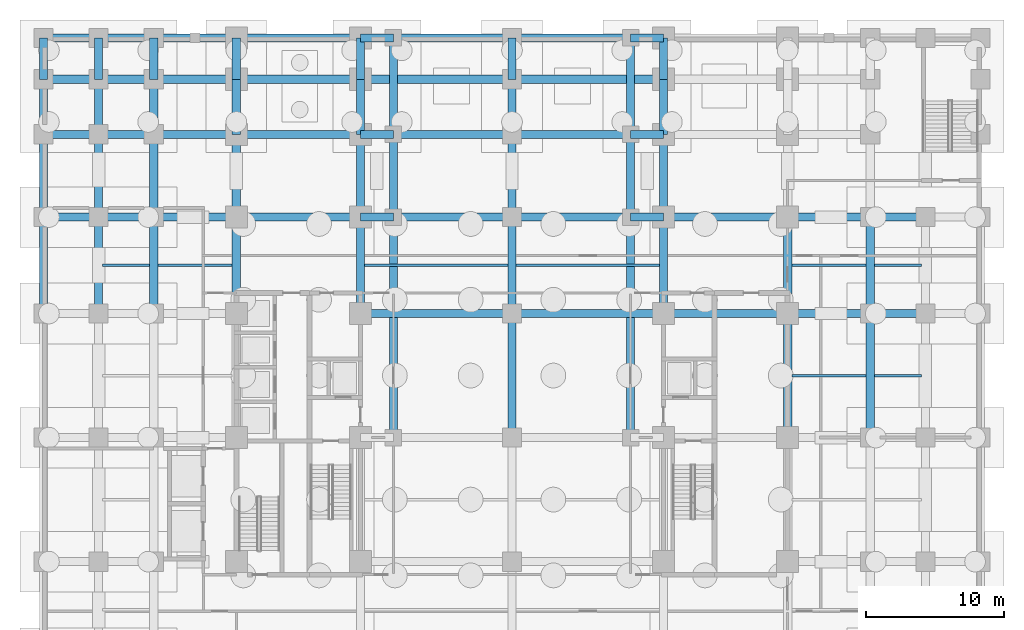
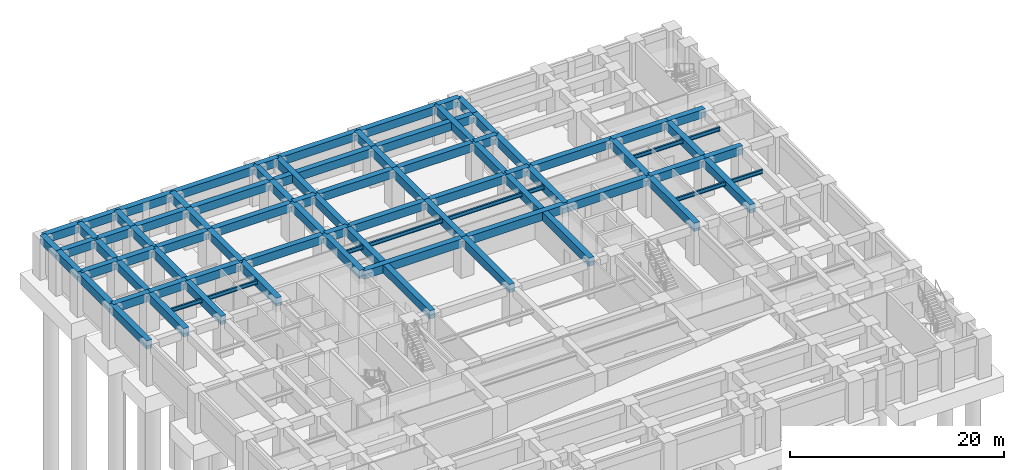
# One storey, part 4 of 16: 85 beams.
"""IFC4 building model written with IfcOpenShell, lengths in metres."""

from ifc_helpers import new_model, si_unit, direction, frame, origin, origin_2d, place, context, subcontext, project, spatial, rectangle, i_section, extrude, material, material_profile, profile_set, type_object, element, save


model = new_model("IFC4")

# Units and contexts
model_context = context("Model", 3, precision=1e-05, world=origin(), true_north=direction((0.0, 1.0)))
body_context = subcontext(model_context, "Body", "Model", "MODEL_VIEW")
ifc_project = project(units=[si_unit("LENGTHUNIT", "METRE"), si_unit("AREAUNIT", "SQUARE_METRE"), si_unit("VOLUMEUNIT", "CUBIC_METRE"), si_unit("PLANEANGLEUNIT", "RADIAN"), si_unit("MASSUNIT", "GRAM", prefix="KILO")], contexts=[model_context])

# Site, building, storey
site_placement = place(None, origin())
site = spatial("IfcSite", under=ifc_project, at=site_placement, CompositionType="ELEMENT")
building_placement = place(site_placement, origin())
building = spatial("IfcBuilding", under=site, at=building_placement, Name="Zulmaris Gate Convention Tower", CompositionType="ELEMENT")
storey_placement = place(building_placement, frame((0.0, 0.0, -9.10009765625)))
storey = spatial("IfcBuildingStorey", under=building, at=storey_placement, Name="B2", CompositionType="ELEMENT", Elevation=-9.10009765625)

# Beams
ifc_material_1 = material(Name="Concrete C60/75", Category="concrete")
ifc_material_profile_1 = material_profile(ifc_material_1, rectangle(XDim=0.60009765625, YDim=0.949951171875, at=origin_2d()), Name="RC BEAM 600x950")
ifc_profile_set_1 = profile_set([ifc_material_profile_1], Name="Concrete C60/75")
beam_type_1 = type_object("IfcBeamType", Name="BM-RC600x950", PredefinedType="BEAM", material=ifc_profile_set_1)
for number, where, z_axis, x_axis, name in (
    (1, (-11.0, 9.0, 3.72509765625), (1.0, 0.0, 0.0), (0.0, 1.0, 0.0), "B2 Beam BM-B2-X-+9.0--11.0"),
    (2, (0.0, 9.0, 3.72509765625), (1.0, 0.0, 0.0), (0.0, 1.0, 0.0), "B2 Beam BM-B2-X-+9.0-+0.0"),
):
    element("IfcBeam", number, at=place(storey_placement, frame(where, z_axis=z_axis, x_axis=x_axis)), inside=storey, type_object=beam_type_1, Name=name, PredefinedType="BEAM", context=body_context, shape_type="SweptSolid", body=[
        extrude(rectangle(XDim=0.60009765625, YDim=0.949951171875, at=origin_2d()), origin(), (0.0, 0.0, 1.0), 11.0),
    ])
beam_1_placement = place(storey_placement, frame((11.0, 9.0, 3.72509765625), z_axis=(1.0, 0.0, 0.0), x_axis=(0.0, 1.0, 0.0)))
element("IfcBeam", 3, at=beam_1_placement, inside=storey, type_object=beam_type_1, Name="B2 Beam BM-B2-X-+9.0-+11.0", PredefinedType="BEAM", context=body_context, shape_type="SweptSolid", body=[
    extrude(rectangle(XDim=0.60009765625, YDim=0.949951171875, at=origin_2d()), origin(), (0.0, 0.0, 1.0), 9.0),
])
beam_2_placement = place(storey_placement, frame((20.0, 9.0, 3.72509765625), z_axis=(1.0, 0.0, 0.0), x_axis=(0.0, 1.0, 0.0)))
element("IfcBeam", 4, at=beam_2_placement, inside=storey, type_object=beam_type_1, Name="B2 Beam BM-B2-X-+9.0-+20.0", PredefinedType="BEAM", context=body_context, shape_type="SweptSolid", body=[
    extrude(rectangle(XDim=0.60009765625, YDim=0.949951171875, at=origin_2d()), origin(), (0.0, 0.0, 1.0), 6.0),
])
for number, where, z_axis, x_axis, name in (
    (5, (26.0, 9.0, 3.72509765625), (1.0, 0.0, 0.0), (0.0, 1.0, 0.0), "B2 Beam BM-B2-X-+9.0-+26.0"),
    (6, (-34.0, 16.0, 3.72509765625), (1.0, 0.0, 0.0), (0.0, 1.0, 0.0), "B2 Beam BM-B2-X-+16.0--34.0"),
    (7, (-30.0, 16.0, 3.72509765625), (1.0, 0.0, 0.0), (0.0, 1.0, 0.0), "B2 Beam BM-B2-X-+16.0--30.0"),
):
    element("IfcBeam", number, at=place(storey_placement, frame(where, z_axis=z_axis, x_axis=x_axis)), inside=storey, type_object=beam_type_1, Name=name, PredefinedType="BEAM", context=body_context, shape_type="SweptSolid", body=[
        extrude(rectangle(XDim=0.60009765625, YDim=0.949951171875, at=origin_2d()), origin(), (0.0, 0.0, 1.0), 4.0),
    ])
beam_3_placement = place(storey_placement, frame((-26.0, 16.0, 3.72509765625), z_axis=(1.0, 0.0, 0.0), x_axis=(0.0, 1.0, 0.0)))
element("IfcBeam", 8, at=beam_3_placement, inside=storey, type_object=beam_type_1, Name="B2 Beam BM-B2-X-+16.0--26.0", PredefinedType="BEAM", context=body_context, shape_type="SweptSolid", body=[
    extrude(rectangle(XDim=0.60009765625, YDim=0.949951171875, at=origin_2d()), origin(), (0.0, 0.0, 1.0), 6.0),
])
beam_4_placement = place(storey_placement, frame((-20.0, 16.0, 3.72509765625), z_axis=(1.0, 0.0, 0.0), x_axis=(0.0, 1.0, 0.0)))
element("IfcBeam", 9, at=beam_4_placement, inside=storey, type_object=beam_type_1, Name="B2 Beam BM-B2-X-+16.0--20.0", PredefinedType="BEAM", context=body_context, shape_type="SweptSolid", body=[
    extrude(rectangle(XDim=0.60009765625, YDim=0.949951171875, at=origin_2d()), origin(), (0.0, 0.0, 1.0), 9.0),
])
beam_5_placement = place(storey_placement, frame((-11.0, 16.0, 3.72509765625), z_axis=(1.0, 0.0, 0.0), x_axis=(0.0, 1.0, 0.0)))
element("IfcBeam", 10, at=beam_5_placement, inside=storey, type_object=beam_type_1, Name="B2 Beam BM-B2-X-+16.0--11.0", PredefinedType="BEAM", context=body_context, shape_type="SweptSolid", body=[
    extrude(rectangle(XDim=0.60009765625, YDim=0.949951171875, at=origin_2d()), origin(), (0.0, 0.0, 1.0), 2.39990234375),
])
for number, where, z_axis, x_axis, name in (
    (11, (-8.60009765625, 16.0, 3.72509765625), (1.0, 0.0, 0.0), (0.0, 1.0, 0.0), "B2 Beam BM-B2-X-+16.0--8.6"),
    (12, (0.0, 16.0, 3.72509765625), (1.0, 0.0, 0.0), (0.0, 1.0, 0.0), "B2 Beam BM-B2-X-+16.0-+0.0"),
):
    element("IfcBeam", number, at=place(storey_placement, frame(where, z_axis=z_axis, x_axis=x_axis)), inside=storey, type_object=beam_type_1, Name=name, PredefinedType="BEAM", context=body_context, shape_type="SweptSolid", body=[
        extrude(rectangle(XDim=0.60009765625, YDim=0.949951171875, at=origin_2d()), origin(), (0.0, 0.0, 1.0), 8.60009765625),
    ])
beam_6_placement = place(storey_placement, frame((8.60009765625, 16.0, 3.72509765625), z_axis=(1.0, 0.0, 0.0), x_axis=(0.0, 1.0, 0.0)))
element("IfcBeam", 13, at=beam_6_placement, inside=storey, type_object=beam_type_1, Name="B2 Beam BM-B2-X-+16.0-+8.6", PredefinedType="BEAM", context=body_context, shape_type="SweptSolid", body=[
    extrude(rectangle(XDim=0.60009765625, YDim=0.949951171875, at=origin_2d()), origin(), (0.0, 0.0, 1.0), 2.39990234375),
])
beam_7_placement = place(storey_placement, frame((11.0, 16.0, 3.72509765625), z_axis=(1.0, 0.0, 0.0), x_axis=(0.0, 1.0, 0.0)))
element("IfcBeam", 14, at=beam_7_placement, inside=storey, type_object=beam_type_1, Name="B2 Beam BM-B2-X-+16.0-+11.0", PredefinedType="BEAM", context=body_context, shape_type="SweptSolid", body=[
    extrude(rectangle(XDim=0.60009765625, YDim=0.949951171875, at=origin_2d()), origin(), (0.0, 0.0, 1.0), 9.0),
])
beam_8_placement = place(storey_placement, frame((20.0, 16.0, 3.72509765625), z_axis=(1.0, 0.0, 0.0), x_axis=(0.0, 1.0, 0.0)))
element("IfcBeam", 15, at=beam_8_placement, inside=storey, type_object=beam_type_1, Name="B2 Beam BM-B2-X-+16.0-+20.0", PredefinedType="BEAM", context=body_context, shape_type="SweptSolid", body=[
    extrude(rectangle(XDim=0.60009765625, YDim=0.949951171875, at=origin_2d()), origin(), (0.0, 0.0, 1.0), 6.0),
])
for number, where, z_axis, x_axis, name in (
    (16, (26.0, 16.0, 3.72509765625), (1.0, 0.0, 0.0), (0.0, 1.0, 0.0), "B2 Beam BM-B2-X-+16.0-+26.0"),
    (17, (-34.0, 22.0, 3.72509765625), (1.0, 0.0, 0.0), (0.0, 1.0, 0.0), "B2 Beam BM-B2-X-+22.0--34.0"),
    (18, (-30.0, 22.0, 3.72509765625), (1.0, 0.0, 0.0), (0.0, 1.0, 0.0), "B2 Beam BM-B2-X-+22.0--30.0"),
):
    element("IfcBeam", number, at=place(storey_placement, frame(where, z_axis=z_axis, x_axis=x_axis)), inside=storey, type_object=beam_type_1, Name=name, PredefinedType="BEAM", context=body_context, shape_type="SweptSolid", body=[
        extrude(rectangle(XDim=0.60009765625, YDim=0.949951171875, at=origin_2d()), origin(), (0.0, 0.0, 1.0), 4.0),
    ])
beam_9_placement = place(storey_placement, frame((-26.0, 22.0, 3.72509765625), z_axis=(1.0, 0.0, 0.0), x_axis=(0.0, 1.0, 0.0)))
element("IfcBeam", 19, at=beam_9_placement, inside=storey, type_object=beam_type_1, Name="B2 Beam BM-B2-X-+22.0--26.0", PredefinedType="BEAM", context=body_context, shape_type="SweptSolid", body=[
    extrude(rectangle(XDim=0.60009765625, YDim=0.949951171875, at=origin_2d()), origin(), (0.0, 0.0, 1.0), 6.0),
])
beam_10_placement = place(storey_placement, frame((-20.0, 22.0, 3.72509765625), z_axis=(1.0, 0.0, 0.0), x_axis=(0.0, 1.0, 0.0)))
element("IfcBeam", 20, at=beam_10_placement, inside=storey, type_object=beam_type_1, Name="B2 Beam BM-B2-X-+22.0--20.0", PredefinedType="BEAM", context=body_context, shape_type="SweptSolid", body=[
    extrude(rectangle(XDim=0.60009765625, YDim=0.949951171875, at=origin_2d()), origin(), (0.0, 0.0, 1.0), 9.0),
])
beam_11_placement = place(storey_placement, frame((-11.0, 22.0, 3.72509765625), z_axis=(1.0, 0.0, 0.0), x_axis=(0.0, 1.0, 0.0)))
element("IfcBeam", 21, at=beam_11_placement, inside=storey, type_object=beam_type_1, Name="B2 Beam BM-B2-X-+22.0--11.0", PredefinedType="BEAM", context=body_context, shape_type="SweptSolid", body=[
    extrude(rectangle(XDim=0.60009765625, YDim=0.949951171875, at=origin_2d()), origin(), (0.0, 0.0, 1.0), 2.39990234375),
])
for number, where, z_axis, x_axis, name in (
    (22, (-8.60009765625, 22.0, 3.72509765625), (1.0, 0.0, 0.0), (0.0, 1.0, 0.0), "B2 Beam BM-B2-X-+22.0--8.6"),
    (23, (0.0, 22.0, 3.72509765625), (1.0, 0.0, 0.0), (0.0, 1.0, 0.0), "B2 Beam BM-B2-X-+22.0-+0.0"),
):
    element("IfcBeam", number, at=place(storey_placement, frame(where, z_axis=z_axis, x_axis=x_axis)), inside=storey, type_object=beam_type_1, Name=name, PredefinedType="BEAM", context=body_context, shape_type="SweptSolid", body=[
        extrude(rectangle(XDim=0.60009765625, YDim=0.949951171875, at=origin_2d()), origin(), (0.0, 0.0, 1.0), 8.60009765625),
    ])
beam_12_placement = place(storey_placement, frame((8.60009765625, 22.0, 3.72509765625), z_axis=(1.0, 0.0, 0.0), x_axis=(0.0, 1.0, 0.0)))
element("IfcBeam", 24, at=beam_12_placement, inside=storey, type_object=beam_type_1, Name="B2 Beam BM-B2-X-+22.0-+8.6", PredefinedType="BEAM", context=body_context, shape_type="SweptSolid", body=[
    extrude(rectangle(XDim=0.60009765625, YDim=0.949951171875, at=origin_2d()), origin(), (0.0, 0.0, 1.0), 2.39990234375),
])
for number, where, z_axis, x_axis, name in (
    (25, (-34.0, 26.0, 3.72509765625), (1.0, 0.0, 0.0), (0.0, 1.0, 0.0), "B2 Beam BM-B2-X-+26.0--34.0"),
    (26, (-30.0, 26.0, 3.72509765625), (1.0, 0.0, 0.0), (0.0, 1.0, 0.0), "B2 Beam BM-B2-X-+26.0--30.0"),
):
    element("IfcBeam", number, at=place(storey_placement, frame(where, z_axis=z_axis, x_axis=x_axis)), inside=storey, type_object=beam_type_1, Name=name, PredefinedType="BEAM", context=body_context, shape_type="SweptSolid", body=[
        extrude(rectangle(XDim=0.60009765625, YDim=0.949951171875, at=origin_2d()), origin(), (0.0, 0.0, 1.0), 4.0),
    ])
beam_13_placement = place(storey_placement, frame((-26.0, 26.0, 3.72509765625), z_axis=(1.0, 0.0, 0.0), x_axis=(0.0, 1.0, 0.0)))
element("IfcBeam", 27, at=beam_13_placement, inside=storey, type_object=beam_type_1, Name="B2 Beam BM-B2-X-+26.0--26.0", PredefinedType="BEAM", context=body_context, shape_type="SweptSolid", body=[
    extrude(rectangle(XDim=0.60009765625, YDim=0.949951171875, at=origin_2d()), origin(), (0.0, 0.0, 1.0), 6.0),
])
beam_14_placement = place(storey_placement, frame((-20.0, 26.0, 3.72509765625), z_axis=(1.0, 0.0, 0.0), x_axis=(0.0, 1.0, 0.0)))
element("IfcBeam", 28, at=beam_14_placement, inside=storey, type_object=beam_type_1, Name="B2 Beam BM-B2-X-+26.0--20.0", PredefinedType="BEAM", context=body_context, shape_type="SweptSolid", body=[
    extrude(rectangle(XDim=0.60009765625, YDim=0.949951171875, at=origin_2d()), origin(), (0.0, 0.0, 1.0), 9.0),
])
for number, where, z_axis, x_axis, name in (
    (29, (-11.0, 26.0, 3.72509765625), (1.0, 0.0, 0.0), (0.0, 1.0, 0.0), "B2 Beam BM-B2-X-+26.0--11.0"),
    (30, (0.0, 26.0, 3.72509765625), (1.0, 0.0, 0.0), (0.0, 1.0, 0.0), "B2 Beam BM-B2-X-+26.0-+0.0"),
):
    element("IfcBeam", number, at=place(storey_placement, frame(where, z_axis=z_axis, x_axis=x_axis)), inside=storey, type_object=beam_type_1, Name=name, PredefinedType="BEAM", context=body_context, shape_type="SweptSolid", body=[
        extrude(rectangle(XDim=0.60009765625, YDim=0.949951171875, at=origin_2d()), origin(), (0.0, 0.0, 1.0), 11.0),
    ])
for number, where, z_axis, x_axis, name in (
    (31, (-34.0, 29.0, 3.72509765625), (1.0, 0.0, 0.0), (0.0, 1.0, 0.0), "B2 Beam BM-B2-X-+29.0--34.0"),
    (32, (-30.0, 29.0, 3.72509765625), (1.0, 0.0, 0.0), (0.0, 1.0, 0.0), "B2 Beam BM-B2-X-+29.0--30.0"),
):
    element("IfcBeam", number, at=place(storey_placement, frame(where, z_axis=z_axis, x_axis=x_axis)), inside=storey, type_object=beam_type_1, Name=name, PredefinedType="BEAM", context=body_context, shape_type="SweptSolid", body=[
        extrude(rectangle(XDim=0.60009765625, YDim=0.949951171875, at=origin_2d()), origin(), (0.0, 0.0, 1.0), 4.0),
    ])
beam_15_placement = place(storey_placement, frame((-26.0, 29.0, 3.72509765625), z_axis=(1.0, 0.0, 0.0), x_axis=(0.0, 1.0, 0.0)))
element("IfcBeam", 33, at=beam_15_placement, inside=storey, type_object=beam_type_1, Name="B2 Beam BM-B2-X-+29.0--26.0", PredefinedType="BEAM", context=body_context, shape_type="SweptSolid", body=[
    extrude(rectangle(XDim=0.60009765625, YDim=0.949951171875, at=origin_2d()), origin(), (0.0, 0.0, 1.0), 6.0),
])
beam_16_placement = place(storey_placement, frame((-20.0, 29.0, 3.72509765625), z_axis=(1.0, 0.0, 0.0), x_axis=(0.0, 1.0, 0.0)))
element("IfcBeam", 34, at=beam_16_placement, inside=storey, type_object=beam_type_1, Name="B2 Beam BM-B2-X-+29.0--20.0", PredefinedType="BEAM", context=body_context, shape_type="SweptSolid", body=[
    extrude(rectangle(XDim=0.60009765625, YDim=0.949951171875, at=origin_2d()), origin(), (0.0, 0.0, 1.0), 9.0),
])
beam_17_placement = place(storey_placement, frame((-11.0, 29.0, 3.72509765625), z_axis=(1.0, 0.0, 0.0), x_axis=(0.0, 1.0, 0.0)))
element("IfcBeam", 35, at=beam_17_placement, inside=storey, type_object=beam_type_1, Name="B2 Beam BM-B2-X-+29.0--11.0", PredefinedType="BEAM", context=body_context, shape_type="SweptSolid", body=[
    extrude(rectangle(XDim=0.60009765625, YDim=0.949951171875, at=origin_2d()), origin(), (0.0, 0.0, 1.0), 2.39990234375),
])
for number, where, z_axis, x_axis, name in (
    (36, (-8.60009765625, 29.0, 3.72509765625), (1.0, 0.0, 0.0), (0.0, 1.0, 0.0), "B2 Beam BM-B2-X-+29.0--8.6"),
    (37, (0.0, 29.0, 3.72509765625), (1.0, 0.0, 0.0), (0.0, 1.0, 0.0), "B2 Beam BM-B2-X-+29.0-+0.0"),
):
    element("IfcBeam", number, at=place(storey_placement, frame(where, z_axis=z_axis, x_axis=x_axis)), inside=storey, type_object=beam_type_1, Name=name, PredefinedType="BEAM", context=body_context, shape_type="SweptSolid", body=[
        extrude(rectangle(XDim=0.60009765625, YDim=0.949951171875, at=origin_2d()), origin(), (0.0, 0.0, 1.0), 8.60009765625),
    ])
beam_18_placement = place(storey_placement, frame((8.60009765625, 29.0, 3.72509765625), z_axis=(1.0, 0.0, 0.0), x_axis=(0.0, 1.0, 0.0)))
element("IfcBeam", 38, at=beam_18_placement, inside=storey, type_object=beam_type_1, Name="B2 Beam BM-B2-X-+29.0-+8.6", PredefinedType="BEAM", context=body_context, shape_type="SweptSolid", body=[
    extrude(rectangle(XDim=0.60009765625, YDim=0.949951171875, at=origin_2d()), origin(), (0.0, 0.0, 1.0), 2.39990234375),
])
beam_19_placement = place(storey_placement, frame((-34.0, 9.0, 3.72509765625), z_axis=(0.0, 1.0, 0.0), x_axis=(-1.0, 0.0, 0.0)))
element("IfcBeam", 39, at=beam_19_placement, inside=storey, type_object=beam_type_1, Name="B2 Beam BM-B2-Y--34.0-+9.0", PredefinedType="BEAM", context=body_context, shape_type="SweptSolid", body=[
    extrude(rectangle(XDim=0.60009765625, YDim=0.949951171875, at=origin_2d()), origin(), (0.0, 0.0, 1.0), 7.0),
])
beam_20_placement = place(storey_placement, frame((-34.0, 16.0, 3.72509765625), z_axis=(0.0, 1.0, 0.0), x_axis=(-1.0, 0.0, 0.0)))
element("IfcBeam", 40, at=beam_20_placement, inside=storey, type_object=beam_type_1, Name="B2 Beam BM-B2-Y--34.0-+16.0", PredefinedType="BEAM", context=body_context, shape_type="SweptSolid", body=[
    extrude(rectangle(XDim=0.60009765625, YDim=0.949951171875, at=origin_2d()), origin(), (0.0, 0.0, 1.0), 6.0),
])
beam_21_placement = place(storey_placement, frame((-34.0, 22.0, 3.72509765625), z_axis=(0.0, 1.0, 0.0), x_axis=(-1.0, 0.0, 0.0)))
element("IfcBeam", 41, at=beam_21_placement, inside=storey, type_object=beam_type_1, Name="B2 Beam BM-B2-Y--34.0-+22.0", PredefinedType="BEAM", context=body_context, shape_type="SweptSolid", body=[
    extrude(rectangle(XDim=0.60009765625, YDim=0.949951171875, at=origin_2d()), origin(), (0.0, 0.0, 1.0), 4.0),
])
beam_22_placement = place(storey_placement, frame((-34.0, 26.0, 3.72509765625), z_axis=(0.0, 1.0, 0.0), x_axis=(-1.0, 0.0, 0.0)))
element("IfcBeam", 42, at=beam_22_placement, inside=storey, type_object=beam_type_1, Name="B2 Beam BM-B2-Y--34.0-+26.0", PredefinedType="BEAM", context=body_context, shape_type="SweptSolid", body=[
    extrude(rectangle(XDim=0.60009765625, YDim=0.949951171875, at=origin_2d()), origin(), (0.0, 0.0, 1.0), 3.0),
])
beam_23_placement = place(storey_placement, frame((-30.0, 9.0, 3.72509765625), z_axis=(0.0, 1.0, 0.0), x_axis=(-1.0, 0.0, 0.0)))
element("IfcBeam", 43, at=beam_23_placement, inside=storey, type_object=beam_type_1, Name="B2 Beam BM-B2-Y--30.0-+9.0", PredefinedType="BEAM", context=body_context, shape_type="SweptSolid", body=[
    extrude(rectangle(XDim=0.60009765625, YDim=0.949951171875, at=origin_2d()), origin(), (0.0, 0.0, 1.0), 7.0),
])
beam_24_placement = place(storey_placement, frame((-30.0, 16.0, 3.72509765625), z_axis=(0.0, 1.0, 0.0), x_axis=(-1.0, 0.0, 0.0)))
element("IfcBeam", 44, at=beam_24_placement, inside=storey, type_object=beam_type_1, Name="B2 Beam BM-B2-Y--30.0-+16.0", PredefinedType="BEAM", context=body_context, shape_type="SweptSolid", body=[
    extrude(rectangle(XDim=0.60009765625, YDim=0.949951171875, at=origin_2d()), origin(), (0.0, 0.0, 1.0), 6.0),
])
beam_25_placement = place(storey_placement, frame((-30.0, 22.0, 3.72509765625), z_axis=(0.0, 1.0, 0.0), x_axis=(-1.0, 0.0, 0.0)))
element("IfcBeam", 45, at=beam_25_placement, inside=storey, type_object=beam_type_1, Name="B2 Beam BM-B2-Y--30.0-+22.0", PredefinedType="BEAM", context=body_context, shape_type="SweptSolid", body=[
    extrude(rectangle(XDim=0.60009765625, YDim=0.949951171875, at=origin_2d()), origin(), (0.0, 0.0, 1.0), 4.0),
])
beam_26_placement = place(storey_placement, frame((-30.0, 26.0, 3.72509765625), z_axis=(0.0, 1.0, 0.0), x_axis=(-1.0, 0.0, 0.0)))
element("IfcBeam", 46, at=beam_26_placement, inside=storey, type_object=beam_type_1, Name="B2 Beam BM-B2-Y--30.0-+26.0", PredefinedType="BEAM", context=body_context, shape_type="SweptSolid", body=[
    extrude(rectangle(XDim=0.60009765625, YDim=0.949951171875, at=origin_2d()), origin(), (0.0, 0.0, 1.0), 3.0),
])
beam_27_placement = place(storey_placement, frame((-26.0, 9.0, 3.72509765625), z_axis=(0.0, 1.0, 0.0), x_axis=(-1.0, 0.0, 0.0)))
element("IfcBeam", 47, at=beam_27_placement, inside=storey, type_object=beam_type_1, Name="B2 Beam BM-B2-Y--26.0-+9.0", PredefinedType="BEAM", context=body_context, shape_type="SweptSolid", body=[
    extrude(rectangle(XDim=0.60009765625, YDim=0.949951171875, at=origin_2d()), origin(), (0.0, 0.0, 1.0), 7.0),
])
beam_28_placement = place(storey_placement, frame((-26.0, 16.0, 3.72509765625), z_axis=(0.0, 1.0, 0.0), x_axis=(-1.0, 0.0, 0.0)))
element("IfcBeam", 48, at=beam_28_placement, inside=storey, type_object=beam_type_1, Name="B2 Beam BM-B2-Y--26.0-+16.0", PredefinedType="BEAM", context=body_context, shape_type="SweptSolid", body=[
    extrude(rectangle(XDim=0.60009765625, YDim=0.949951171875, at=origin_2d()), origin(), (0.0, 0.0, 1.0), 6.0),
])
beam_29_placement = place(storey_placement, frame((-26.0, 22.0, 3.72509765625), z_axis=(0.0, 1.0, 0.0), x_axis=(-1.0, 0.0, 0.0)))
element("IfcBeam", 49, at=beam_29_placement, inside=storey, type_object=beam_type_1, Name="B2 Beam BM-B2-Y--26.0-+22.0", PredefinedType="BEAM", context=body_context, shape_type="SweptSolid", body=[
    extrude(rectangle(XDim=0.60009765625, YDim=0.949951171875, at=origin_2d()), origin(), (0.0, 0.0, 1.0), 4.0),
])
beam_30_placement = place(storey_placement, frame((-26.0, 26.0, 3.72509765625), z_axis=(0.0, 1.0, 0.0), x_axis=(-1.0, 0.0, 0.0)))
element("IfcBeam", 50, at=beam_30_placement, inside=storey, type_object=beam_type_1, Name="B2 Beam BM-B2-Y--26.0-+26.0", PredefinedType="BEAM", context=body_context, shape_type="SweptSolid", body=[
    extrude(rectangle(XDim=0.60009765625, YDim=0.949951171875, at=origin_2d()), origin(), (0.0, 0.0, 1.0), 3.0),
])
beam_31_placement = place(storey_placement, frame((-20.0, 9.0, 3.72509765625), z_axis=(0.0, 1.0, 0.0), x_axis=(-1.0, 0.0, 0.0)))
element("IfcBeam", 51, at=beam_31_placement, inside=storey, type_object=beam_type_1, Name="B2 Beam BM-B2-Y--20.0-+9.0", PredefinedType="BEAM", context=body_context, shape_type="SweptSolid", body=[
    extrude(rectangle(XDim=0.60009765625, YDim=0.949951171875, at=origin_2d()), origin(), (0.0, 0.0, 1.0), 7.0),
])
beam_32_placement = place(storey_placement, frame((-20.0, 16.0, 3.72509765625), z_axis=(0.0, 1.0, 0.0), x_axis=(-1.0, 0.0, 0.0)))
element("IfcBeam", 52, at=beam_32_placement, inside=storey, type_object=beam_type_1, Name="B2 Beam BM-B2-Y--20.0-+16.0", PredefinedType="BEAM", context=body_context, shape_type="SweptSolid", body=[
    extrude(rectangle(XDim=0.60009765625, YDim=0.949951171875, at=origin_2d()), origin(), (0.0, 0.0, 1.0), 6.0),
])
beam_33_placement = place(storey_placement, frame((-20.0, 22.0, 3.72509765625), z_axis=(0.0, 1.0, 0.0), x_axis=(-1.0, 0.0, 0.0)))
element("IfcBeam", 53, at=beam_33_placement, inside=storey, type_object=beam_type_1, Name="B2 Beam BM-B2-Y--20.0-+22.0", PredefinedType="BEAM", context=body_context, shape_type="SweptSolid", body=[
    extrude(rectangle(XDim=0.60009765625, YDim=0.949951171875, at=origin_2d()), origin(), (0.0, 0.0, 1.0), 4.0),
])
beam_34_placement = place(storey_placement, frame((-20.0, 26.0, 3.72509765625), z_axis=(0.0, 1.0, 0.0), x_axis=(-1.0, 0.0, 0.0)))
element("IfcBeam", 54, at=beam_34_placement, inside=storey, type_object=beam_type_1, Name="B2 Beam BM-B2-Y--20.0-+26.0", PredefinedType="BEAM", context=body_context, shape_type="SweptSolid", body=[
    extrude(rectangle(XDim=0.60009765625, YDim=0.949951171875, at=origin_2d()), origin(), (0.0, 0.0, 1.0), 3.0),
])
beam_35_placement = place(storey_placement, frame((-11.0, 9.0, 3.72509765625), z_axis=(0.0, 1.0, 0.0), x_axis=(-1.0, 0.0, 0.0)))
element("IfcBeam", 55, at=beam_35_placement, inside=storey, type_object=beam_type_1, Name="B2 Beam BM-B2-Y--11.0-+9.0", PredefinedType="BEAM", context=body_context, shape_type="SweptSolid", body=[
    extrude(rectangle(XDim=0.60009765625, YDim=0.949951171875, at=origin_2d()), origin(), (0.0, 0.0, 1.0), 7.0),
])
beam_36_placement = place(storey_placement, frame((-11.0, 16.0, 3.72509765625), z_axis=(0.0, 1.0, 0.0), x_axis=(-1.0, 0.0, 0.0)))
element("IfcBeam", 56, at=beam_36_placement, inside=storey, type_object=beam_type_1, Name="B2 Beam BM-B2-Y--11.0-+16.0", PredefinedType="BEAM", context=body_context, shape_type="SweptSolid", body=[
    extrude(rectangle(XDim=0.60009765625, YDim=0.949951171875, at=origin_2d()), origin(), (0.0, 0.0, 1.0), 6.0),
])
beam_37_placement = place(storey_placement, frame((-11.0, 22.0, 3.72509765625), z_axis=(0.0, 1.0, 0.0), x_axis=(-1.0, 0.0, 0.0)))
element("IfcBeam", 57, at=beam_37_placement, inside=storey, type_object=beam_type_1, Name="B2 Beam BM-B2-Y--11.0-+22.0", PredefinedType="BEAM", context=body_context, shape_type="SweptSolid", body=[
    extrude(rectangle(XDim=0.60009765625, YDim=0.949951171875, at=origin_2d()), origin(), (0.0, 0.0, 1.0), 4.0),
])
beam_38_placement = place(storey_placement, frame((-11.0, 26.0, 3.72509765625), z_axis=(0.0, 1.0, 0.0), x_axis=(-1.0, 0.0, 0.0)))
element("IfcBeam", 58, at=beam_38_placement, inside=storey, type_object=beam_type_1, Name="B2 Beam BM-B2-Y--11.0-+26.0", PredefinedType="BEAM", context=body_context, shape_type="SweptSolid", body=[
    extrude(rectangle(XDim=0.60009765625, YDim=0.949951171875, at=origin_2d()), origin(), (0.0, 0.0, 1.0), 3.0),
])
beam_39_placement = place(storey_placement, frame((-8.60009765625, 0.0, 3.72509765625), z_axis=(0.0, 1.0, 0.0), x_axis=(-1.0, 0.0, 0.0)))
element("IfcBeam", 59, at=beam_39_placement, inside=storey, type_object=beam_type_1, Name="B2 Beam BM-B2-Y--8.6-+0.0", PredefinedType="BEAM", context=body_context, shape_type="SweptSolid", body=[
    extrude(rectangle(XDim=0.60009765625, YDim=0.949951171875, at=origin_2d()), origin(), (0.0, 0.0, 1.0), 16.0),
])
beam_40_placement = place(storey_placement, frame((-8.60009765625, 16.0, 3.72509765625), z_axis=(0.0, 1.0, 0.0), x_axis=(-1.0, 0.0, 0.0)))
element("IfcBeam", 60, at=beam_40_placement, inside=storey, type_object=beam_type_1, Name="B2 Beam BM-B2-Y--8.6-+16.0", PredefinedType="BEAM", context=body_context, shape_type="SweptSolid", body=[
    extrude(rectangle(XDim=0.60009765625, YDim=0.949951171875, at=origin_2d()), origin(), (0.0, 0.0, 1.0), 6.0),
])
beam_41_placement = place(storey_placement, frame((-8.60009765625, 22.0, 3.72509765625), z_axis=(0.0, 1.0, 0.0), x_axis=(-1.0, 0.0, 0.0)))
element("IfcBeam", 61, at=beam_41_placement, inside=storey, type_object=beam_type_1, Name="B2 Beam BM-B2-Y--8.6-+22.0", PredefinedType="BEAM", context=body_context, shape_type="SweptSolid", body=[
    extrude(rectangle(XDim=0.60009765625, YDim=0.949951171875, at=origin_2d()), origin(), (0.0, 0.0, 1.0), 7.0),
])
beam_42_placement = place(storey_placement, frame((0.0, 0.0, 3.72509765625), z_axis=(0.0, 1.0, 0.0), x_axis=(-1.0, 0.0, 0.0)))
element("IfcBeam", 62, at=beam_42_placement, inside=storey, type_object=beam_type_1, Name="B2 Beam BM-B2-Y-+0.0-+0.0", PredefinedType="BEAM", context=body_context, shape_type="SweptSolid", body=[
    extrude(rectangle(XDim=0.60009765625, YDim=0.949951171875, at=origin_2d()), origin(), (0.0, 0.0, 1.0), 9.0),
])
beam_43_placement = place(storey_placement, frame((0.0, 9.0, 3.72509765625), z_axis=(0.0, 1.0, 0.0), x_axis=(-1.0, 0.0, 0.0)))
element("IfcBeam", 63, at=beam_43_placement, inside=storey, type_object=beam_type_1, Name="B2 Beam BM-B2-Y-+0.0-+9.0", PredefinedType="BEAM", context=body_context, shape_type="SweptSolid", body=[
    extrude(rectangle(XDim=0.60009765625, YDim=0.949951171875, at=origin_2d()), origin(), (0.0, 0.0, 1.0), 7.0),
])
beam_44_placement = place(storey_placement, frame((0.0, 16.0, 3.72509765625), z_axis=(0.0, 1.0, 0.0), x_axis=(-1.0, 0.0, 0.0)))
element("IfcBeam", 64, at=beam_44_placement, inside=storey, type_object=beam_type_1, Name="B2 Beam BM-B2-Y-+0.0-+16.0", PredefinedType="BEAM", context=body_context, shape_type="SweptSolid", body=[
    extrude(rectangle(XDim=0.60009765625, YDim=0.949951171875, at=origin_2d()), origin(), (0.0, 0.0, 1.0), 6.0),
])
beam_45_placement = place(storey_placement, frame((0.0, 22.0, 3.72509765625), z_axis=(0.0, 1.0, 0.0), x_axis=(-1.0, 0.0, 0.0)))
element("IfcBeam", 65, at=beam_45_placement, inside=storey, type_object=beam_type_1, Name="B2 Beam BM-B2-Y-+0.0-+22.0", PredefinedType="BEAM", context=body_context, shape_type="SweptSolid", body=[
    extrude(rectangle(XDim=0.60009765625, YDim=0.949951171875, at=origin_2d()), origin(), (0.0, 0.0, 1.0), 4.0),
])
beam_46_placement = place(storey_placement, frame((0.0, 26.0, 3.72509765625), z_axis=(0.0, 1.0, 0.0), x_axis=(-1.0, 0.0, 0.0)))
element("IfcBeam", 66, at=beam_46_placement, inside=storey, type_object=beam_type_1, Name="B2 Beam BM-B2-Y-+0.0-+26.0", PredefinedType="BEAM", context=body_context, shape_type="SweptSolid", body=[
    extrude(rectangle(XDim=0.60009765625, YDim=0.949951171875, at=origin_2d()), origin(), (0.0, 0.0, 1.0), 3.0),
])
beam_47_placement = place(storey_placement, frame((8.60009765625, 0.0, 3.72509765625), z_axis=(0.0, 1.0, 0.0), x_axis=(-1.0, 0.0, 0.0)))
element("IfcBeam", 67, at=beam_47_placement, inside=storey, type_object=beam_type_1, Name="B2 Beam BM-B2-Y-+8.6-+0.0", PredefinedType="BEAM", context=body_context, shape_type="SweptSolid", body=[
    extrude(rectangle(XDim=0.60009765625, YDim=0.949951171875, at=origin_2d()), origin(), (0.0, 0.0, 1.0), 16.0),
])
beam_48_placement = place(storey_placement, frame((8.60009765625, 16.0, 3.72509765625), z_axis=(0.0, 1.0, 0.0), x_axis=(-1.0, 0.0, 0.0)))
element("IfcBeam", 68, at=beam_48_placement, inside=storey, type_object=beam_type_1, Name="B2 Beam BM-B2-Y-+8.6-+16.0", PredefinedType="BEAM", context=body_context, shape_type="SweptSolid", body=[
    extrude(rectangle(XDim=0.60009765625, YDim=0.949951171875, at=origin_2d()), origin(), (0.0, 0.0, 1.0), 6.0),
])
for number, where, z_axis, x_axis, name in (
    (69, (8.60009765625, 22.0, 3.72509765625), (0.0, 1.0, 0.0), (-1.0, 0.0, 0.0), "B2 Beam BM-B2-Y-+8.6-+22.0"),
    (70, (11.0, 9.0, 3.72509765625), (0.0, 1.0, 0.0), (-1.0, 0.0, 0.0), "B2 Beam BM-B2-Y-+11.0-+9.0"),
):
    element("IfcBeam", number, at=place(storey_placement, frame(where, z_axis=z_axis, x_axis=x_axis)), inside=storey, type_object=beam_type_1, Name=name, PredefinedType="BEAM", context=body_context, shape_type="SweptSolid", body=[
        extrude(rectangle(XDim=0.60009765625, YDim=0.949951171875, at=origin_2d()), origin(), (0.0, 0.0, 1.0), 7.0),
    ])
beam_49_placement = place(storey_placement, frame((11.0, 16.0, 3.72509765625), z_axis=(0.0, 1.0, 0.0), x_axis=(-1.0, 0.0, 0.0)))
element("IfcBeam", 71, at=beam_49_placement, inside=storey, type_object=beam_type_1, Name="B2 Beam BM-B2-Y-+11.0-+16.0", PredefinedType="BEAM", context=body_context, shape_type="SweptSolid", body=[
    extrude(rectangle(XDim=0.60009765625, YDim=0.949951171875, at=origin_2d()), origin(), (0.0, 0.0, 1.0), 6.0),
])
beam_50_placement = place(storey_placement, frame((11.0, 22.0, 3.72509765625), z_axis=(0.0, 1.0, 0.0), x_axis=(-1.0, 0.0, 0.0)))
element("IfcBeam", 72, at=beam_50_placement, inside=storey, type_object=beam_type_1, Name="B2 Beam BM-B2-Y-+11.0-+22.0", PredefinedType="BEAM", context=body_context, shape_type="SweptSolid", body=[
    extrude(rectangle(XDim=0.60009765625, YDim=0.949951171875, at=origin_2d()), origin(), (0.0, 0.0, 1.0), 4.0),
])
beam_51_placement = place(storey_placement, frame((11.0, 26.0, 3.72509765625), z_axis=(0.0, 1.0, 0.0), x_axis=(-1.0, 0.0, 0.0)))
element("IfcBeam", 73, at=beam_51_placement, inside=storey, type_object=beam_type_1, Name="B2 Beam BM-B2-Y-+11.0-+26.0", PredefinedType="BEAM", context=body_context, shape_type="SweptSolid", body=[
    extrude(rectangle(XDim=0.60009765625, YDim=0.949951171875, at=origin_2d()), origin(), (0.0, 0.0, 1.0), 3.0),
])
beam_52_placement = place(storey_placement, frame((20.0, 0.0, 3.72509765625), z_axis=(0.0, 1.0, 0.0), x_axis=(-1.0, 0.0, 0.0)))
element("IfcBeam", 74, at=beam_52_placement, inside=storey, type_object=beam_type_1, Name="B2 Beam BM-B2-Y-+20.0-+0.0", PredefinedType="BEAM", context=body_context, shape_type="SweptSolid", body=[
    extrude(rectangle(XDim=0.60009765625, YDim=0.949951171875, at=origin_2d()), origin(), (0.0, 0.0, 1.0), 9.0),
])
beam_53_placement = place(storey_placement, frame((20.0, 9.0, 3.72509765625), z_axis=(0.0, 1.0, 0.0), x_axis=(-1.0, 0.0, 0.0)))
element("IfcBeam", 75, at=beam_53_placement, inside=storey, type_object=beam_type_1, Name="B2 Beam BM-B2-Y-+20.0-+9.0", PredefinedType="BEAM", context=body_context, shape_type="SweptSolid", body=[
    extrude(rectangle(XDim=0.60009765625, YDim=0.949951171875, at=origin_2d()), origin(), (0.0, 0.0, 1.0), 7.0),
])
beam_54_placement = place(storey_placement, frame((26.0, 0.0, 3.72509765625), z_axis=(0.0, 1.0, 0.0), x_axis=(-1.0, 0.0, 0.0)))
element("IfcBeam", 76, at=beam_54_placement, inside=storey, type_object=beam_type_1, Name="B2 Beam BM-B2-Y-+26.0-+0.0", PredefinedType="BEAM", context=body_context, shape_type="SweptSolid", body=[
    extrude(rectangle(XDim=0.60009765625, YDim=0.949951171875, at=origin_2d()), origin(), (0.0, 0.0, 1.0), 9.0),
])
beam_55_placement = place(storey_placement, frame((26.0, 9.0, 3.72509765625), z_axis=(0.0, 1.0, 0.0), x_axis=(-1.0, 0.0, 0.0)))
element("IfcBeam", 77, at=beam_55_placement, inside=storey, type_object=beam_type_1, Name="B2 Beam BM-B2-Y-+26.0-+9.0", PredefinedType="BEAM", context=body_context, shape_type="SweptSolid", body=[
    extrude(rectangle(XDim=0.60009765625, YDim=0.949951171875, at=origin_2d()), origin(), (0.0, 0.0, 1.0), 7.0),
])
ifc_material_2 = material(Name="Steel S355", Category="steel")
ifc_material_profile_2 = material_profile(ifc_material_2, i_section(OverallWidth=0.18994140625, OverallDepth=0.449951171875, WebThickness=0.009521484375, FlangeThickness=0.0146484375, FilletRadius=0.02099609375, at=origin_2d()), Name="IPE 450")
ifc_profile_set_2 = profile_set([ifc_material_profile_2], Name="Steel S355")
beam_type_2 = type_object("IfcBeamType", Name="JT-IPE450", PredefinedType="JOIST", material=ifc_profile_set_2)
beam_56_placement = place(storey_placement, frame((-29.699951171875, 12.5, 3.97314453125), z_axis=(1.0, 0.0, 0.0), x_axis=(0.0, 1.0, 0.0)))
element("IfcBeam", 78, at=beam_56_placement, inside=storey, type_object=beam_type_2, Name="B2 Joist JT-B2--30_-26-+12.5", PredefinedType="JOIST", context=body_context, shape_type="SweptSolid", body=[
    extrude(i_section(OverallWidth=0.18994140625, OverallDepth=0.449951171875, WebThickness=0.009521484375, FlangeThickness=0.0146484375, FilletRadius=0.02099609375, at=origin_2d()), origin(), (0.0, 0.0, 1.0), 3.39990234375),
])
beam_57_placement = place(storey_placement, frame((-25.699951171875, 12.5, 3.97314453125), z_axis=(1.0, 0.0, 0.0), x_axis=(0.0, 1.0, 0.0)))
element("IfcBeam", 79, at=beam_57_placement, inside=storey, type_object=beam_type_2, Name="B2 Joist JT-B2--26_-20-+12.5", PredefinedType="JOIST", context=body_context, shape_type="SweptSolid", body=[
    extrude(i_section(OverallWidth=0.18994140625, OverallDepth=0.449951171875, WebThickness=0.009521484375, FlangeThickness=0.0146484375, FilletRadius=0.02099609375, at=origin_2d()), origin(), (0.0, 0.0, 1.0), 5.39990234375),
])
for number, where, z_axis, x_axis, name in (
    (80, (-10.699951171875, 12.5, 3.97314453125), (1.0, 0.0, 0.0), (0.0, 1.0, 0.0), "B2 Joist JT-B2--11_+0-+12.5"),
    (81, (0.300048828125, 12.5, 3.97314453125), (1.0, 0.0, 0.0), (0.0, 1.0, 0.0), "B2 Joist JT-B2-+0_+11-+12.5"),
):
    element("IfcBeam", number, at=place(storey_placement, frame(where, z_axis=z_axis, x_axis=x_axis)), inside=storey, type_object=beam_type_2, Name=name, PredefinedType="JOIST", context=body_context, shape_type="SweptSolid", body=[
        extrude(i_section(OverallWidth=0.18994140625, OverallDepth=0.449951171875, WebThickness=0.009521484375, FlangeThickness=0.0146484375, FilletRadius=0.02099609375, at=origin_2d()), origin(), (0.0, 0.0, 1.0), 10.39990234375),
    ])
for number, where, z_axis, x_axis, name in (
    (82, (20.300048828125, 4.5, 3.97314453125), (1.0, 0.0, 0.0), (0.0, 1.0, 0.0), "B2 Joist JT-B2-+20_+26-+4.5"),
    (83, (20.300048828125, 12.5, 3.97314453125), (1.0, 0.0, 0.0), (0.0, 1.0, 0.0), "B2 Joist JT-B2-+20_+26-+12.5"),
):
    element("IfcBeam", number, at=place(storey_placement, frame(where, z_axis=z_axis, x_axis=x_axis)), inside=storey, type_object=beam_type_2, Name=name, PredefinedType="JOIST", context=body_context, shape_type="SweptSolid", body=[
        extrude(i_section(OverallWidth=0.18994140625, OverallDepth=0.449951171875, WebThickness=0.009521484375, FlangeThickness=0.0146484375, FilletRadius=0.02099609375, at=origin_2d()), origin(), (0.0, 0.0, 1.0), 5.39990234375),
    ])
for number, where, z_axis, x_axis, name in (
    (84, (26.300048828125, 4.5, 3.97314453125), (1.0, 0.0, 0.0), (0.0, 1.0, 0.0), "B2 Joist JT-B2-+26_+30-+4.5"),
    (85, (26.300048828125, 12.5, 3.97314453125), (1.0, 0.0, 0.0), (0.0, 1.0, 0.0), "B2 Joist JT-B2-+26_+30-+12.5"),
):
    element("IfcBeam", number, at=place(storey_placement, frame(where, z_axis=z_axis, x_axis=x_axis)), inside=storey, type_object=beam_type_2, Name=name, PredefinedType="JOIST", context=body_context, shape_type="SweptSolid", body=[
        extrude(i_section(OverallWidth=0.18994140625, OverallDepth=0.449951171875, WebThickness=0.009521484375, FlangeThickness=0.0146484375, FilletRadius=0.02099609375, at=origin_2d()), origin(), (0.0, 0.0, 1.0), 3.39990234375),
    ])

save(model, "model.ifc")
